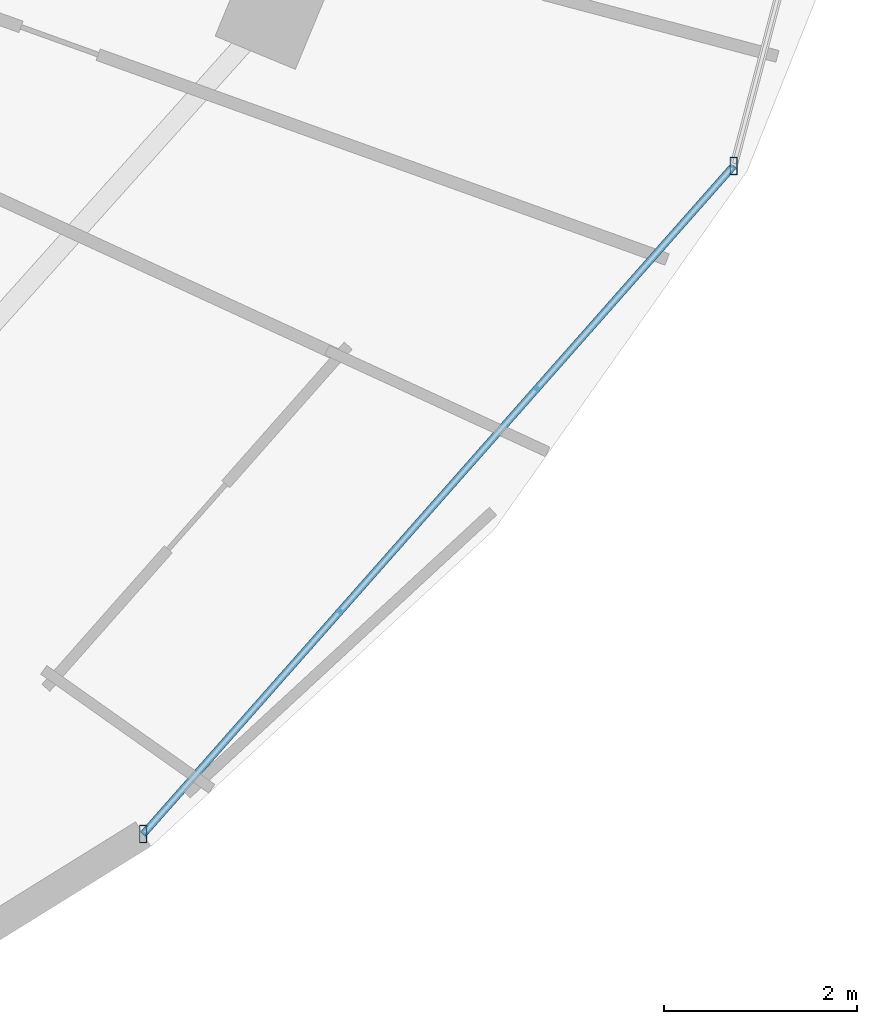
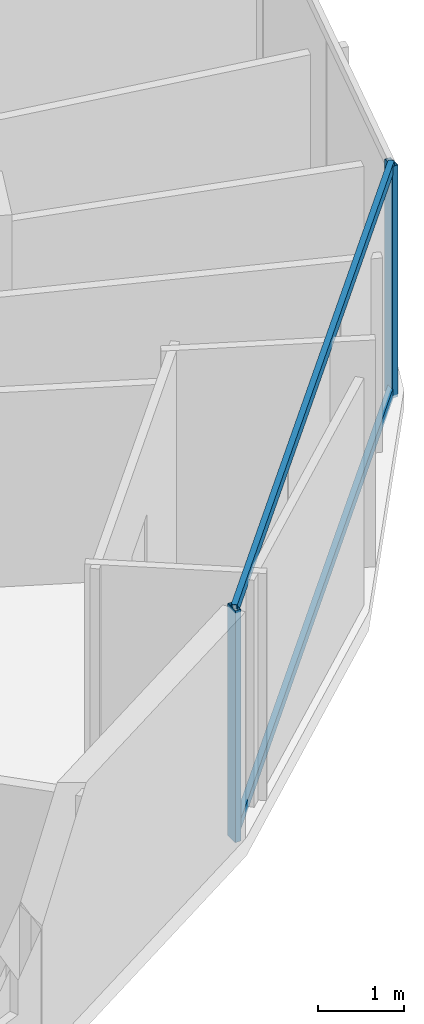
# One storey, part 13 of 34: 4 members, 1 element without a shape of its own.
"""IFC4 building model written with IfcOpenShell, lengths in metres."""

from ifc_helpers import new_model, si_unit, direction, frame, origin, origin_2d, place, context, subcontext, project, spatial, hollow_rectangle, extrude, material, material_profile, profile_set, type_object, element, aggregate, save


model = new_model("IFC4")

# Units and contexts
model_context = context("Model", 3, precision=1e-05, world=origin(), true_north=direction((0.0, 1.0)))
body_context = subcontext(model_context, "Body", "Model", "MODEL_VIEW")
ifc_project = project(units=[si_unit("LENGTHUNIT", "METRE"), si_unit("AREAUNIT", "SQUARE_METRE"), si_unit("VOLUMEUNIT", "CUBIC_METRE"), si_unit("PLANEANGLEUNIT", "RADIAN"), si_unit("MASSUNIT", "GRAM", prefix="KILO")], contexts=[model_context])

# Site, building, storey
site_placement = place(None, origin())
site = spatial("IfcSite", under=ifc_project, at=site_placement, CompositionType="ELEMENT")
building_placement = place(site_placement, origin())
building = spatial("IfcBuilding", under=site, at=building_placement, Name="Vorneva Point Tower", CompositionType="ELEMENT")
storey_placement = place(building_placement, frame((0.0, 0.0, 182.60009765625)))
storey = spatial("IfcBuildingStorey", under=building, at=storey_placement, Name="L49", CompositionType="ELEMENT", Elevation=182.60009765625)

# Curtain wall, members
ifc_material = material(Name="Pale anodised aluminium", Category="aluminium")
curtain_wall_type = type_object("IfcCurtainWallType", Name="CW-RES-SYS", PredefinedType="NOTDEFINED", material=ifc_material)
curtain_wall_placement = place(storey_placement, origin())
curtain_wall = element("IfcCurtainWall", 1, at=curtain_wall_placement, inside=storey, type_object=curtain_wall_type, Name="L49 Unitised Curtain Wall CW-L49-R04", PredefinedType="NOTDEFINED")
ifc_material_profile_1 = material_profile(ifc_material, hollow_rectangle(XDim=0.074951171875, YDim=0.179931640625, WallThickness=0.00390625, at=origin_2d()), Name="AL-MUL 180x75x4")
ifc_profile_set_1 = profile_set([ifc_material_profile_1], Name="Pale anodised aluminium")
member_type_1 = type_object("IfcMemberType", Name="CW-MUL-180", PredefinedType="MULLION", material=ifc_profile_set_1)
member_1_placement = place(storey_placement, frame((57.961669921875, 10.9033203125, -0.0400390625), z_axis=(0.0, 0.0, 1.0), x_axis=(1.0, 0.0, 0.0)))
member_1 = element("IfcMember", 2, at=member_1_placement, type_object=member_type_1, Name="CW-L49-R04 Mullion 01", PredefinedType="MULLION", context=body_context, shape_type="SweptSolid", body=[
    extrude(hollow_rectangle(XDim=0.074951171875, YDim=0.179931640625, WallThickness=0.00390625, at=origin_2d()), origin(), (0.0, 0.0, 1.0), 3.31005859375),
])
member_2_placement = place(storey_placement, frame((64.0810546875, 17.82958984375, -0.0400390625), z_axis=(0.0, 0.0, 1.0), x_axis=(1.0, 0.0, 0.0)))
member_2 = element("IfcMember", 3, at=member_2_placement, type_object=member_type_1, Name="CW-L49-R04 Mullion 02", PredefinedType="MULLION", context=body_context, shape_type="SweptSolid", body=[
    extrude(hollow_rectangle(XDim=0.074951171875, YDim=0.179931640625, WallThickness=0.00390625, at=origin_2d()), origin(), (0.0, 0.0, 1.0), 3.31005859375),
])
ifc_material_profile_2 = material_profile(ifc_material, hollow_rectangle(XDim=0.074951171875, YDim=0.14990234375, WallThickness=0.00390625, at=origin_2d()), Name="AL-TRN 150x75x4")
ifc_profile_set_2 = profile_set([ifc_material_profile_2], Name="Pale anodised aluminium")
member_type_2 = type_object("IfcMemberType", Name="CW-TRN-150", PredefinedType="USERDEFINED", material=ifc_profile_set_2)
member_3_placement = place(storey_placement, frame((57.961669921875, 10.9033203125, 0.02001953125), z_axis=(0.662106383869, 0.749409858782, 0.0), x_axis=(-0.749409858782, 0.662106383869, 0.0)))
member_3 = element("IfcMember", 4, at=member_3_placement, type_object=member_type_2, Name="CW-L49-R04 Transom 01.1", ObjectType="TRANSOM", PredefinedType="USERDEFINED", context=body_context, shape_type="SweptSolid", body=[
    extrude(hollow_rectangle(XDim=0.074951171875, YDim=0.14990234375, WallThickness=0.00390625, at=origin_2d()), origin(), (0.0, 0.0, 1.0), 9.2421875),
])
member_4_placement = place(storey_placement, frame((57.961669921875, 10.9033203125, 3.219970703125), z_axis=(0.662106383869, 0.749409858782, 0.0), x_axis=(-0.749409858782, 0.662106383869, 0.0)))
member_4 = element("IfcMember", 5, at=member_4_placement, type_object=member_type_2, Name="CW-L49-R04 Transom 01.2", ObjectType="TRANSOM", PredefinedType="USERDEFINED", context=body_context, shape_type="SweptSolid", body=[
    extrude(hollow_rectangle(XDim=0.074951171875, YDim=0.14990234375, WallThickness=0.00390625, at=origin_2d()), origin(), (0.0, 0.0, 1.0), 9.2421875),
])
aggregate(curtain_wall, [member_1, member_2, member_3, member_4])

save(model, "model.ifc")
